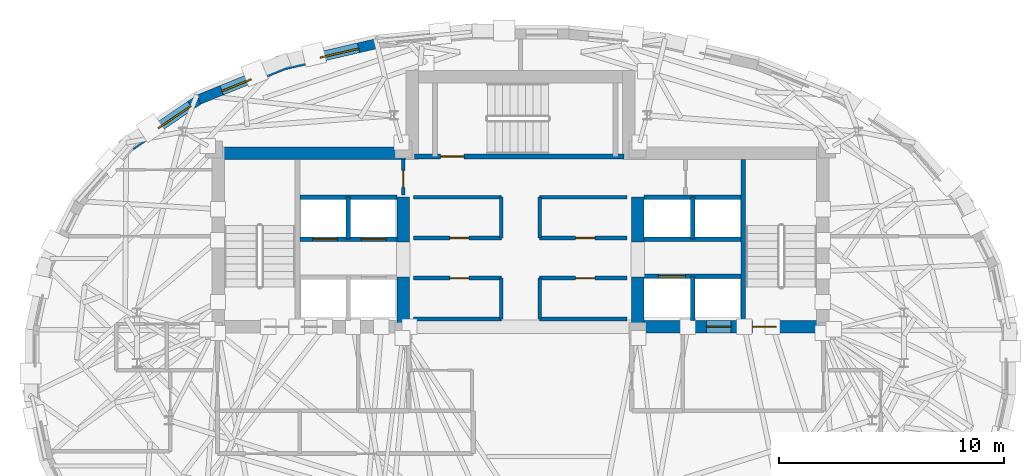
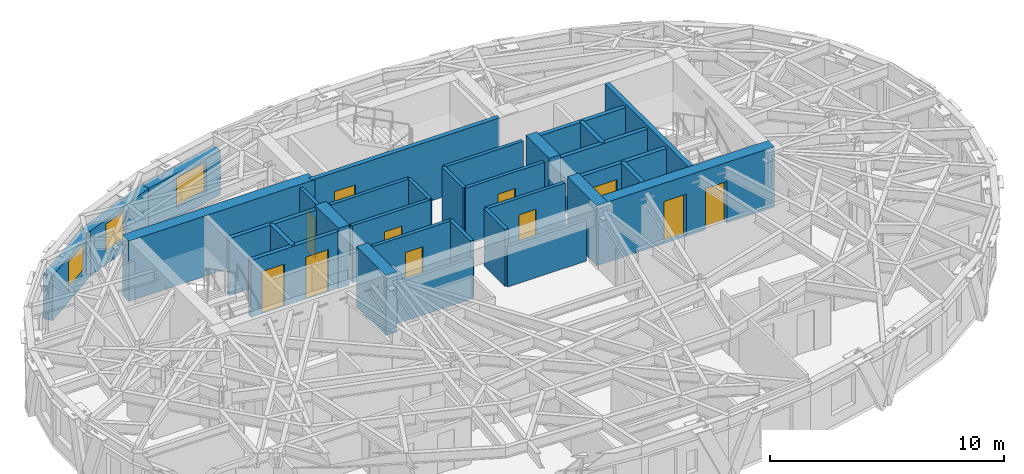
# One storey, part 8 of 13: 32 walls, 11 doors, 3 windows, 14 openings.
"""IFC4 building model written with IfcOpenShell, lengths in metres."""

from ifc_helpers import new_model, si_unit, direction, frame, frame_2d, origin, place, context, subcontext, project, spatial, rectangle, extrude, material, layer, layer_set, type_object, element, fill, save


model = new_model("IFC4")

# Units and contexts
model_context = context("Model", 3, precision=1e-05, world=origin(), true_north=direction((0.0, 1.0)))
body_context = subcontext(model_context, "Body", "Model", "MODEL_VIEW")
ifc_project = project(units=[si_unit("LENGTHUNIT", "METRE"), si_unit("AREAUNIT", "SQUARE_METRE"), si_unit("VOLUMEUNIT", "CUBIC_METRE"), si_unit("PLANEANGLEUNIT", "RADIAN"), si_unit("MASSUNIT", "GRAM", prefix="KILO")], contexts=[model_context])

# Site, building, storey
site_placement = place(None, origin())
site = spatial("IfcSite", under=ifc_project, at=site_placement, CompositionType="ELEMENT")
building_placement = place(site_placement, origin())
building = spatial("IfcBuilding", under=site, at=building_placement, Name="Keldmark Tower", CompositionType="ELEMENT")
storey_placement = place(building_placement, frame((0.0, 0.0, 235.199951171875)))
storey = spatial("IfcBuildingStorey", under=building, at=storey_placement, Name="L66", CompositionType="ELEMENT", Elevation=235.199951171875)

# Walls
ifc_material_1 = material(Name="Concrete C50/60", Category="concrete")
ifc_layer_1 = layer(ifc_material_1, 0.550048828125)
ifc_layer_set_1 = layer_set([ifc_layer_1], Name="Concrete C50/60")
wall_type_1 = type_object("IfcWallType", Name="High-Rise Core Shear Wall 550 mm", PredefinedType="SHEAR", material=ifc_layer_set_1)
wall_1_placement = place(storey_placement, frame((-13.699951171875, 9.27490234375, 0.0), z_axis=(0.0, 0.0, 1.0), x_axis=(1.0, 0.0, 0.0)))
element("IfcWall", 1, at=wall_1_placement, inside=storey, type_object=wall_type_1, Name="L66 West Core North Shear Wall", PredefinedType="SHEAR", context=body_context, shape_type="SweptSolid", body=[
    extrude(rectangle(XDim=9.175048828125, YDim=0.550048828125, at=frame_2d((4.58740234375, 0.0))), origin(), (0.0, 0.0, 1.0), 3.150146484375),
])
wall_2_placement = place(storey_placement, frame((-5.199951171875, 1.300048828125, 0.0), z_axis=(0.0, 0.0, 1.0), x_axis=(0.0, 1.0, 0.0)))
element("IfcWall", 2, at=wall_2_placement, inside=storey, type_object=wall_type_1, Name="L66 West Core Inner Shear Pier South", PredefinedType="SHEAR", context=body_context, shape_type="SweptSolid", body=[
    extrude(rectangle(XDim=2.5, YDim=0.550048828125, at=frame_2d((1.25, 0.0))), origin(), (0.0, 0.0, 1.0), 3.150146484375),
])
wall_3_placement = place(storey_placement, frame((-5.199951171875, 5.35009765625, 0.0), z_axis=(0.0, 0.0, 1.0), x_axis=(0.0, 1.0, 0.0)))
element("IfcWall", 3, at=wall_3_placement, inside=storey, type_object=wall_type_1, Name="L66 West Core Inner Shear Pier North", PredefinedType="SHEAR", context=body_context, shape_type="SweptSolid", body=[
    extrude(rectangle(XDim=2.0, YDim=0.550048828125, at=frame_2d((1.0, 0.0))), origin(), (0.0, 0.0, 1.0), 3.150146484375),
])

# Wall, openings, doors
wall_4_placement = place(storey_placement, frame((13.699951171875, 1.574951171875, 0.0), z_axis=(0.0, 0.0, 1.0), x_axis=(-1.0, 0.0, 0.0)))
wall_4 = element("IfcWall", 4, at=wall_4_placement, inside=storey, type_object=wall_type_1, Name="L66 East Core South Shear Wall", PredefinedType="SHEAR", context=body_context, shape_type="SweptSolid", body=[
    extrude(rectangle(XDim=8.77490234375, YDim=0.550048828125, at=frame_2d((4.387451171875, 0.0))), origin(), (0.0, 0.0, 1.0), 3.150146484375),
])
opening_1_placement = place(wall_4_placement, frame((2.35009765625, 0.0, 0.0)))
opening_1 = element("IfcOpeningElement", 5, at=opening_1_placement, cuts=wall_4, Name="Opening D-ST105", PredefinedType="OPENING", context=body_context, shape_type="SweptSolid", body=[
    extrude(rectangle(XDim=1.050048828125, YDim=2.14990234375, at=frame_2d((0.52490234375, 1.074951171875))), frame((0.0, 0.284912109375, 0.0), z_axis=(0.0, -1.0, 0.0), x_axis=(1.0, 0.0, 0.0)), (0.0, 0.0, 1.0), 0.570068359375),
])
opening_2_placement = place(wall_4_placement, frame((4.35009765625, 0.0, 0.0)))
opening_2 = element("IfcOpeningElement", 6, at=opening_2_placement, cuts=wall_4, Name="Opening LD-110", PredefinedType="OPENING", context=body_context, shape_type="SweptSolid", body=[
    extrude(rectangle(XDim=1.10009765625, YDim=2.199951171875, at=frame_2d((0.550048828125, 1.10009765625))), frame((0.0, 0.284912109375, 0.0), z_axis=(0.0, -1.0, 0.0), x_axis=(1.0, 0.0, 0.0)), (0.0, 0.0, 1.0), 0.570068359375),
])
ifc_material_2 = material(Name="Brushed Bronze Hoistway Sliding Leaf", Category="metal")
door_type_1 = type_object("IfcDoorType", Name="Lift Landing Sliding Door 1100x2200", OperationType="SLIDING_TO_LEFT", PredefinedType="DOOR", material=ifc_material_2)
door_1_placement = place(opening_2_placement, origin())
door_1 = element("IfcDoor", 7, at=door_1_placement, inside=storey, type_object=door_type_1, Name="L66 Lift Landing Sliding Door 1100x2200 LD-EL-FS2-L66", OperationType="SLIDING_TO_LEFT", OverallHeight=2.199951171875, OverallWidth=1.10009765625, PredefinedType="DOOR", context=body_context, shape_type="SweptSolid", body=[
    extrude(rectangle(XDim=1.10009765625, YDim=2.199951171875, at=frame_2d((0.550048828125, 1.10009765625))), frame((0.0, 0.02490234375, 0.0), z_axis=(0.0, -1.0, 0.0), x_axis=(1.0, 0.0, 0.0)), (0.0, 0.0, 1.0), 0.050048828125),
])
fill(opening_2, door_1)
ifc_material_3 = material(Name="Hollow Metal Fire-Rated Door Assembly", Category="metal")
door_type_2 = type_object("IfcDoorType", Name="Stair Fire Door 1050x2150", OperationType="NOTDEFINED", PredefinedType="DOOR", material=ifc_material_3)
door_2_placement = place(opening_1_placement, origin())
door_2 = element("IfcDoor", 8, at=door_2_placement, inside=storey, type_object=door_type_2, Name="L66 Stair Fire Door 1050x2150 D-ST2-L66", OperationType="SINGLE_SWING_LEFT", OverallHeight=2.14990234375, OverallWidth=1.050048828125, PredefinedType="DOOR", context=body_context, shape_type="SweptSolid", body=[
    extrude(rectangle(XDim=1.050048828125, YDim=2.14990234375, at=frame_2d((0.52490234375, 1.074951171875))), frame((0.0, 0.02490234375, 0.0), z_axis=(0.0, -1.0, 0.0), x_axis=(1.0, 0.0, 0.0)), (0.0, 0.0, 1.0), 0.050048828125),
])
fill(opening_1, door_2)

# Walls
wall_5_placement = place(storey_placement, frame((5.199951171875, 1.300048828125, 0.0), z_axis=(0.0, 0.0, 1.0), x_axis=(0.0, 1.0, 0.0)))
element("IfcWall", 9, at=wall_5_placement, inside=storey, type_object=wall_type_1, Name="L66 East Core Inner Shear Pier South", PredefinedType="SHEAR", context=body_context, shape_type="SweptSolid", body=[
    extrude(rectangle(XDim=2.5, YDim=0.550048828125, at=frame_2d((1.25, 0.0))), origin(), (0.0, 0.0, 1.0), 3.150146484375),
])
wall_6_placement = place(storey_placement, frame((5.199951171875, 5.35009765625, 0.0), z_axis=(0.0, 0.0, 1.0), x_axis=(0.0, 1.0, 0.0)))
element("IfcWall", 10, at=wall_6_placement, inside=storey, type_object=wall_type_1, Name="L66 East Core Inner Shear Pier North", PredefinedType="SHEAR", context=body_context, shape_type="SweptSolid", body=[
    extrude(rectangle(XDim=2.0, YDim=0.550048828125, at=frame_2d((1.0, 0.0))), origin(), (0.0, 0.0, 1.0), 3.150146484375),
])
ifc_material_4 = material(Name="Type X Fire-Rated Gypsum Partition Assembly", Category="gypsum")
ifc_layer_2 = layer(ifc_material_4, 0.1650390625)
ifc_layer_set_2 = layer_set([ifc_layer_2], Name="Type X Fire-Rated Gypsum Partition Assembly")
wall_type_2 = type_object("IfcWallType", Name="Rated Partition 165 mm", PredefinedType="PARTITIONING", material=ifc_layer_set_2)
wall_7_placement = place(storey_placement, frame((-4.739990234375, 1.919921875, 0.0), z_axis=(0.0, 0.0, 1.0), x_axis=(1.0, 0.0, 0.0)))
element("IfcWall", 11, at=wall_7_placement, inside=storey, type_object=wall_type_2, Name="L66 Rated Partition 165 mm REC-LW-S", PredefinedType="PARTITIONING", context=body_context, shape_type="SweptSolid", body=[
    extrude(rectangle(XDim=3.889892578125, YDim=0.1650390625, at=frame_2d((1.94482421875, 0.0))), origin(), (0.0, 0.0, 1.0), 2.110107421875),
])

# Wall, opening, door
wall_8_placement = place(storey_placement, frame((-4.739990234375, 3.739990234375, 0.0), z_axis=(0.0, 0.0, 1.0), x_axis=(1.0, 0.0, 0.0)))
wall_8 = element("IfcWall", 12, at=wall_8_placement, inside=storey, type_object=wall_type_2, Name="L66 Rated Partition 165 mm REC-LW-N", PredefinedType="PARTITIONING", context=body_context, shape_type="SweptSolid", body=[
    extrude(rectangle(XDim=3.889892578125, YDim=0.1650390625, at=frame_2d((1.94482421875, 0.0))), origin(), (0.0, 0.0, 1.0), 2.969970703125),
])
opening_3_placement = place(wall_8_placement, frame((1.60009765625, 0.0, 0.0)))
opening_3 = element("IfcOpeningElement", 13, at=opening_3_placement, cuts=wall_8, Name="Opening D-SV085", PredefinedType="OPENING", context=body_context, shape_type="SweptSolid", body=[
    extrude(rectangle(XDim=0.85009765625, YDim=2.10009765625, at=frame_2d((0.425048828125, 1.050048828125))), frame((0.0, 0.092529296875, 0.0), z_axis=(0.0, -1.0, 0.0), x_axis=(1.0, 0.0, 0.0)), (0.0, 0.0, 1.0), 0.18505859375),
])
ifc_material_5 = material(Name="Painted Hollow Metal Door Assembly", Category="metal")
door_type_3 = type_object("IfcDoorType", Name="Service Door 850x2100", OperationType="NOTDEFINED", PredefinedType="DOOR", material=ifc_material_5)
door_3_placement = place(opening_3_placement, origin())
door_3 = element("IfcDoor", 14, at=door_3_placement, inside=storey, type_object=door_type_3, Name="L66 Service Door 850x2100 D-RECLW1-L66", OperationType="SINGLE_SWING_LEFT", OverallHeight=2.10009765625, OverallWidth=0.85009765625, PredefinedType="DOOR", context=body_context, shape_type="SweptSolid", body=[
    extrude(rectangle(XDim=0.85009765625, YDim=2.10009765625, at=frame_2d((0.425048828125, 1.050048828125))), frame((0.0, 0.02490234375, 0.0), z_axis=(0.0, -1.0, 0.0), x_axis=(1.0, 0.0, 0.0)), (0.0, 0.0, 1.0), 0.050048828125),
])
fill(opening_3, door_3)

# Walls
wall_9_placement = place(storey_placement, frame((-0.85009765625, 1.919921875, 0.0), z_axis=(0.0, 0.0, 1.0), x_axis=(0.0, 1.0, 0.0)))
element("IfcWall", 15, at=wall_9_placement, inside=storey, type_object=wall_type_2, Name="L66 Rated Partition 165 mm REC-LW-E", PredefinedType="PARTITIONING", context=body_context, shape_type="SweptSolid", body=[
    extrude(rectangle(XDim=1.820068359375, YDim=0.1650390625, at=frame_2d((0.91015625, 0.0))), origin(), (0.0, 0.0, 1.0), 2.969970703125),
])
wall_10_placement = place(storey_placement, frame((0.85009765625, 1.919921875, 0.0), z_axis=(0.0, 0.0, 1.0), x_axis=(1.0, 0.0, 0.0)))
element("IfcWall", 16, at=wall_10_placement, inside=storey, type_object=wall_type_2, Name="L66 Rated Partition 165 mm REC-LE-S", PredefinedType="PARTITIONING", context=body_context, shape_type="SweptSolid", body=[
    extrude(rectangle(XDim=3.889892578125, YDim=0.1650390625, at=frame_2d((1.94482421875, 0.0))), origin(), (0.0, 0.0, 1.0), 2.110107421875),
])

# Wall, opening, door
wall_11_placement = place(storey_placement, frame((0.85009765625, 3.739990234375, 0.0), z_axis=(0.0, 0.0, 1.0), x_axis=(1.0, 0.0, 0.0)))
wall_11 = element("IfcWall", 17, at=wall_11_placement, inside=storey, type_object=wall_type_2, Name="L66 Rated Partition 165 mm REC-LE-N", PredefinedType="PARTITIONING", context=body_context, shape_type="SweptSolid", body=[
    extrude(rectangle(XDim=3.889892578125, YDim=0.1650390625, at=frame_2d((1.94482421875, 0.0))), origin(), (0.0, 0.0, 1.0), 2.969970703125),
])
opening_4_placement = place(wall_11_placement, frame((1.60009765625, 0.0, 0.0)))
opening_4 = element("IfcOpeningElement", 18, at=opening_4_placement, cuts=wall_11, Name="Opening D-SV085", PredefinedType="OPENING", context=body_context, shape_type="SweptSolid", body=[
    extrude(rectangle(XDim=0.85009765625, YDim=2.10009765625, at=frame_2d((0.425048828125, 1.050048828125))), frame((0.0, 0.092529296875, 0.0), z_axis=(0.0, -1.0, 0.0), x_axis=(1.0, 0.0, 0.0)), (0.0, 0.0, 1.0), 0.18505859375),
])
door_4_placement = place(opening_4_placement, origin())
door_4 = element("IfcDoor", 19, at=door_4_placement, inside=storey, type_object=door_type_3, Name="L66 Service Door 850x2100 D-RECLE1-L66", OperationType="SINGLE_SWING_RIGHT", OverallHeight=2.10009765625, OverallWidth=0.85009765625, PredefinedType="DOOR", context=body_context, shape_type="SweptSolid", body=[
    extrude(rectangle(XDim=0.85009765625, YDim=2.10009765625, at=frame_2d((0.425048828125, 1.050048828125))), frame((0.0, 0.02490234375, 0.0), z_axis=(0.0, -1.0, 0.0), x_axis=(1.0, 0.0, 0.0)), (0.0, 0.0, 1.0), 0.050048828125),
])
fill(opening_4, door_4)

# Wall
wall_12_placement = place(storey_placement, frame((0.85009765625, 1.919921875, 0.0), z_axis=(0.0, 0.0, 1.0), x_axis=(0.0, 1.0, 0.0)))
element("IfcWall", 20, at=wall_12_placement, inside=storey, type_object=wall_type_2, Name="L66 Rated Partition 165 mm REC-LE-W", PredefinedType="PARTITIONING", context=body_context, shape_type="SweptSolid", body=[
    extrude(rectangle(XDim=1.820068359375, YDim=0.1650390625, at=frame_2d((0.91015625, 0.0))), origin(), (0.0, 0.0, 1.0), 2.969970703125),
])

# Wall, opening, door
wall_13_placement = place(storey_placement, frame((-4.739990234375, 5.52001953125, 0.0), z_axis=(0.0, 0.0, 1.0), x_axis=(1.0, 0.0, 0.0)))
wall_13 = element("IfcWall", 21, at=wall_13_placement, inside=storey, type_object=wall_type_2, Name="L66 Rated Partition 165 mm REC-MW-S", PredefinedType="PARTITIONING", context=body_context, shape_type="SweptSolid", body=[
    extrude(rectangle(XDim=3.889892578125, YDim=0.1650390625, at=frame_2d((1.94482421875, 0.0))), origin(), (0.0, 0.0, 1.0), 2.969970703125),
])
opening_5_placement = place(wall_13_placement, frame((1.60009765625, 0.0, 0.0)))
opening_5 = element("IfcOpeningElement", 22, at=opening_5_placement, cuts=wall_13, Name="Opening D-SV085", PredefinedType="OPENING", context=body_context, shape_type="SweptSolid", body=[
    extrude(rectangle(XDim=0.85009765625, YDim=2.10009765625, at=frame_2d((0.425048828125, 1.050048828125))), frame((0.0, 0.092529296875, 0.0), z_axis=(0.0, -1.0, 0.0), x_axis=(1.0, 0.0, 0.0)), (0.0, 0.0, 1.0), 0.18505859375),
])
door_5_placement = place(opening_5_placement, origin())
door_5 = element("IfcDoor", 23, at=door_5_placement, inside=storey, type_object=door_type_3, Name="L66 Service Door 850x2100 D-RECMW1-L66", OperationType="SINGLE_SWING_LEFT", OverallHeight=2.10009765625, OverallWidth=0.85009765625, PredefinedType="DOOR", context=body_context, shape_type="SweptSolid", body=[
    extrude(rectangle(XDim=0.85009765625, YDim=2.10009765625, at=frame_2d((0.425048828125, 1.050048828125))), frame((0.0, 0.02490234375, 0.0), z_axis=(0.0, -1.0, 0.0), x_axis=(1.0, 0.0, 0.0)), (0.0, 0.0, 1.0), 0.050048828125),
])
fill(opening_5, door_5)

# Walls
wall_14_placement = place(storey_placement, frame((-4.739990234375, 7.330078125, 0.0), z_axis=(0.0, 0.0, 1.0), x_axis=(1.0, 0.0, 0.0)))
element("IfcWall", 24, at=wall_14_placement, inside=storey, type_object=wall_type_2, Name="L66 Rated Partition 165 mm REC-MW-N", PredefinedType="PARTITIONING", context=body_context, shape_type="SweptSolid", body=[
    extrude(rectangle(XDim=3.889892578125, YDim=0.1650390625, at=frame_2d((1.94482421875, 0.0))), origin(), (0.0, 0.0, 1.0), 2.969970703125),
])
wall_15_placement = place(storey_placement, frame((-0.85009765625, 5.52001953125, 0.0), z_axis=(0.0, 0.0, 1.0), x_axis=(0.0, 1.0, 0.0)))
element("IfcWall", 25, at=wall_15_placement, inside=storey, type_object=wall_type_2, Name="L66 Rated Partition 165 mm REC-MW-E", PredefinedType="PARTITIONING", context=body_context, shape_type="SweptSolid", body=[
    extrude(rectangle(XDim=1.81005859375, YDim=0.1650390625, at=frame_2d((0.905029296875, 0.0))), origin(), (0.0, 0.0, 1.0), 2.969970703125),
])

# Wall, opening, door
wall_16_placement = place(storey_placement, frame((0.85009765625, 5.52001953125, 0.0), z_axis=(0.0, 0.0, 1.0), x_axis=(1.0, 0.0, 0.0)))
wall_16 = element("IfcWall", 26, at=wall_16_placement, inside=storey, type_object=wall_type_2, Name="L66 Rated Partition 165 mm REC-ME-S", PredefinedType="PARTITIONING", context=body_context, shape_type="SweptSolid", body=[
    extrude(rectangle(XDim=3.889892578125, YDim=0.1650390625, at=frame_2d((1.94482421875, 0.0))), origin(), (0.0, 0.0, 1.0), 2.969970703125),
])
opening_6_placement = place(wall_16_placement, frame((1.60009765625, 0.0, 0.0)))
opening_6 = element("IfcOpeningElement", 27, at=opening_6_placement, cuts=wall_16, Name="Opening D-SV085", PredefinedType="OPENING", context=body_context, shape_type="SweptSolid", body=[
    extrude(rectangle(XDim=0.85009765625, YDim=2.10009765625, at=frame_2d((0.425048828125, 1.050048828125))), frame((0.0, 0.092529296875, 0.0), z_axis=(0.0, -1.0, 0.0), x_axis=(1.0, 0.0, 0.0)), (0.0, 0.0, 1.0), 0.18505859375),
])
door_6_placement = place(opening_6_placement, origin())
door_6 = element("IfcDoor", 28, at=door_6_placement, inside=storey, type_object=door_type_3, Name="L66 Service Door 850x2100 D-RECME1-L66", OperationType="SINGLE_SWING_RIGHT", OverallHeight=2.10009765625, OverallWidth=0.85009765625, PredefinedType="DOOR", context=body_context, shape_type="SweptSolid", body=[
    extrude(rectangle(XDim=0.85009765625, YDim=2.10009765625, at=frame_2d((0.425048828125, 1.050048828125))), frame((0.0, 0.02490234375, 0.0), z_axis=(0.0, -1.0, 0.0), x_axis=(1.0, 0.0, 0.0)), (0.0, 0.0, 1.0), 0.050048828125),
])
fill(opening_6, door_6)

# Walls
wall_17_placement = place(storey_placement, frame((0.85009765625, 7.330078125, 0.0), z_axis=(0.0, 0.0, 1.0), x_axis=(1.0, 0.0, 0.0)))
element("IfcWall", 29, at=wall_17_placement, inside=storey, type_object=wall_type_2, Name="L66 Rated Partition 165 mm REC-ME-N", PredefinedType="PARTITIONING", context=body_context, shape_type="SweptSolid", body=[
    extrude(rectangle(XDim=3.889892578125, YDim=0.1650390625, at=frame_2d((1.94482421875, 0.0))), origin(), (0.0, 0.0, 1.0), 2.969970703125),
])
wall_18_placement = place(storey_placement, frame((0.85009765625, 5.52001953125, 0.0), z_axis=(0.0, 0.0, 1.0), x_axis=(0.0, 1.0, 0.0)))
element("IfcWall", 30, at=wall_18_placement, inside=storey, type_object=wall_type_2, Name="L66 Rated Partition 165 mm REC-ME-W", PredefinedType="PARTITIONING", context=body_context, shape_type="SweptSolid", body=[
    extrude(rectangle(XDim=1.81005859375, YDim=0.1650390625, at=frame_2d((0.905029296875, 0.0))), origin(), (0.0, 0.0, 1.0), 2.969970703125),
])

# Wall, opening, door
wall_19_placement = place(storey_placement, frame((-5.199951171875, 7.419921875, 0.0), z_axis=(0.0, 0.0, 1.0), x_axis=(0.0, 1.0, 0.0)))
wall_19 = element("IfcWall", 31, at=wall_19_placement, inside=storey, type_object=wall_type_2, Name="L66 Rated Partition 165 mm CS-NW-E", PredefinedType="PARTITIONING", context=body_context, shape_type="SweptSolid", body=[
    extrude(rectangle(XDim=1.580078125, YDim=0.1650390625, at=frame_2d((0.7900390625, 0.0))), origin(), (0.0, 0.0, 1.0), 2.969970703125),
])
opening_7_placement = place(wall_19_placement, frame((0.35009765625, 0.0, 0.0)))
opening_7 = element("IfcOpeningElement", 32, at=opening_7_placement, cuts=wall_19, Name="Opening D-RS075", PredefinedType="OPENING", context=body_context, shape_type="SweptSolid", body=[
    extrude(rectangle(XDim=0.75, YDim=2.10009765625, at=frame_2d((0.375, 1.050048828125))), frame((0.0, 0.092529296875, 0.0), z_axis=(0.0, -1.0, 0.0), x_axis=(1.0, 0.0, 0.0)), (0.0, 0.0, 1.0), 0.18505859375),
])
ifc_material_6 = material(Name="Galvanized Fire-Rated Access Leaf", Category="metal")
door_type_4 = type_object("IfcDoorType", Name="Riser Access Door 750x2100", OperationType="NOTDEFINED", PredefinedType="DOOR", material=ifc_material_6)
door_7_placement = place(opening_7_placement, origin())
door_7 = element("IfcDoor", 33, at=door_7_placement, inside=storey, type_object=door_type_4, Name="L66 Riser Access Door 750x2100 D-CSNW1-L66", OperationType="SINGLE_SWING_LEFT", OverallHeight=2.10009765625, OverallWidth=0.75, PredefinedType="DOOR", context=body_context, shape_type="SweptSolid", body=[
    extrude(rectangle(XDim=0.75, YDim=2.10009765625, at=frame_2d((0.375, 1.050048828125))), frame((0.0, 0.02490234375, 0.0), z_axis=(0.0, -1.0, 0.0), x_axis=(1.0, 0.0, 0.0)), (0.0, 0.0, 1.0), 0.050048828125),
])
fill(opening_7, door_7)

# Wall, openings, doors
ifc_material_7 = material(Name="Fire-Resistant Type X Gypsum Shaftliner Coreboard", Category="gypsum")
ifc_layer_3 = layer(ifc_material_7, 0.199951171875)
ifc_layer_set_3 = layer_set([ifc_layer_3], Name="Fire-Resistant Type X Gypsum Shaftliner Coreboard")
wall_type_3 = type_object("IfcWallType", Name="Shaft Wall 200 mm", PredefinedType="SOLIDWALL", material=ifc_layer_set_3)
wall_20_placement = place(storey_placement, frame((-9.780029296875, 5.469970703125, 0.0), z_axis=(0.0, 0.0, 1.0), x_axis=(1.0, 0.0, 0.0)))
wall_20 = element("IfcWall", 34, at=wall_20_placement, inside=storey, type_object=wall_type_3, Name="L66 Shaft Wall 200 mm HW-W-N", PredefinedType="SOLIDWALL", context=body_context, shape_type="SweptSolid", body=[
    extrude(rectangle(XDim=4.304931640625, YDim=0.199951171875, at=frame_2d((2.15234375, 0.0))), origin(), (0.0, 0.0, 1.0), 2.969970703125),
])
opening_8_placement = place(wall_20_placement, frame((0.550048828125, 0.0, 0.0)))
opening_8 = element("IfcOpeningElement", 35, at=opening_8_placement, cuts=wall_20, Name="Opening LD-110", PredefinedType="OPENING", context=body_context, shape_type="SweptSolid", body=[
    extrude(rectangle(XDim=1.10009765625, YDim=2.199951171875, at=frame_2d((0.550048828125, 1.10009765625))), frame((0.0, 0.10986328125, 0.0), z_axis=(0.0, -1.0, 0.0), x_axis=(1.0, 0.0, 0.0)), (0.0, 0.0, 1.0), 0.219970703125),
])
opening_9_placement = place(wall_20_placement, frame((2.719970703125, 0.0, 0.0)))
opening_9 = element("IfcOpeningElement", 36, at=opening_9_placement, cuts=wall_20, Name="Opening LD-110", PredefinedType="OPENING", context=body_context, shape_type="SweptSolid", body=[
    extrude(rectangle(XDim=1.10009765625, YDim=2.199951171875, at=frame_2d((0.550048828125, 1.10009765625))), frame((0.0, 0.10986328125, 0.0), z_axis=(0.0, -1.0, 0.0), x_axis=(1.0, 0.0, 0.0)), (0.0, 0.0, 1.0), 0.219970703125),
])
door_8_placement = place(opening_8_placement, origin())
door_8 = element("IfcDoor", 37, at=door_8_placement, inside=storey, type_object=door_type_1, Name="L66 Lift Landing Sliding Door 1100x2200 LD-EL-H1-L66", OperationType="SLIDING_TO_LEFT", OverallHeight=2.199951171875, OverallWidth=1.10009765625, PredefinedType="DOOR", context=body_context, shape_type="SweptSolid", body=[
    extrude(rectangle(XDim=1.10009765625, YDim=2.199951171875, at=frame_2d((0.550048828125, 1.10009765625))), frame((0.0, 0.02490234375, 0.0), z_axis=(0.0, -1.0, 0.0), x_axis=(1.0, 0.0, 0.0)), (0.0, 0.0, 1.0), 0.050048828125),
])
fill(opening_8, door_8)
door_9_placement = place(opening_9_placement, origin())
door_9 = element("IfcDoor", 38, at=door_9_placement, inside=storey, type_object=door_type_1, Name="L66 Lift Landing Sliding Door 1100x2200 LD-EL-H2-L66", OperationType="SLIDING_TO_LEFT", OverallHeight=2.199951171875, OverallWidth=1.10009765625, PredefinedType="DOOR", context=body_context, shape_type="SweptSolid", body=[
    extrude(rectangle(XDim=1.10009765625, YDim=2.199951171875, at=frame_2d((0.550048828125, 1.10009765625))), frame((0.0, 0.02490234375, 0.0), z_axis=(0.0, -1.0, 0.0), x_axis=(1.0, 0.0, 0.0)), (0.0, 0.0, 1.0), 0.050048828125),
])
fill(opening_9, door_9)

# Walls
wall_21_placement = place(storey_placement, frame((-9.780029296875, 7.330078125, 0.0), z_axis=(0.0, 0.0, 1.0), x_axis=(1.0, 0.0, 0.0)))
element("IfcWall", 39, at=wall_21_placement, inside=storey, type_object=wall_type_3, Name="L66 Shaft Wall 200 mm HW-W-TOP", PredefinedType="SOLIDWALL", context=body_context, shape_type="SweptSolid", body=[
    extrude(rectangle(XDim=4.304931640625, YDim=0.199951171875, at=frame_2d((2.15234375, 0.0))), origin(), (0.0, 0.0, 1.0), 2.969970703125),
])
wall_22_placement = place(storey_placement, frame((-7.64990234375, 5.469970703125, 0.0), z_axis=(0.0, 0.0, 1.0), x_axis=(0.0, 1.0, 0.0)))
element("IfcWall", 40, at=wall_22_placement, inside=storey, type_object=wall_type_3, Name="L66 Shaft Wall 200 mm HW-W-NM", PredefinedType="SOLIDWALL", context=body_context, shape_type="SweptSolid", body=[
    extrude(rectangle(XDim=1.860107421875, YDim=0.199951171875, at=frame_2d((0.93017578125, 0.0))), origin(), (0.0, 0.0, 1.0), 2.969970703125),
])

# Wall, opening, door
wall_23_placement = place(storey_placement, frame((5.47509765625, 3.820068359375, 0.0), z_axis=(0.0, 0.0, 1.0), x_axis=(1.0, 0.0, 0.0)))
wall_23 = element("IfcWall", 41, at=wall_23_placement, inside=storey, type_object=wall_type_3, Name="L66 Shaft Wall 200 mm HW-E-S", PredefinedType="SOLIDWALL", context=body_context, shape_type="SweptSolid", body=[
    extrude(rectangle(XDim=4.304931640625, YDim=0.199951171875, at=frame_2d((2.15234375, 0.0))), origin(), (0.0, 0.0, 1.0), 2.969970703125),
])
opening_10_placement = place(wall_23_placement, frame((0.64990234375, 0.0, 0.0)))
opening_10 = element("IfcOpeningElement", 42, at=opening_10_placement, cuts=wall_23, Name="Opening LD-120", PredefinedType="OPENING", context=body_context, shape_type="SweptSolid", body=[
    extrude(rectangle(XDim=1.199951171875, YDim=2.199951171875, at=frame_2d((0.60009765625, 1.10009765625))), frame((0.0, 0.10986328125, 0.0), z_axis=(0.0, -1.0, 0.0), x_axis=(1.0, 0.0, 0.0)), (0.0, 0.0, 1.0), 0.219970703125),
])
ifc_material_8 = material(Name="Heavy-Duty Brushed Metal Hoistway Sliding Leaf", Category="metal")
door_type_5 = type_object("IfcDoorType", Name="Service Lift Sliding Door 1200x2200", OperationType="SLIDING_TO_RIGHT", PredefinedType="DOOR", material=ifc_material_8)
door_10_placement = place(opening_10_placement, origin())
door_10 = element("IfcDoor", 43, at=door_10_placement, inside=storey, type_object=door_type_5, Name="L66 Service Lift Sliding Door 1200x2200 LD-EL-SV1-L66", OperationType="SLIDING_TO_RIGHT", OverallHeight=2.199951171875, OverallWidth=1.199951171875, PredefinedType="DOOR", context=body_context, shape_type="SweptSolid", body=[
    extrude(rectangle(XDim=1.199951171875, YDim=2.199951171875, at=frame_2d((0.60009765625, 1.10009765625))), frame((0.0, 0.02490234375, 0.0), z_axis=(0.0, -1.0, 0.0), x_axis=(1.0, 0.0, 0.0)), (0.0, 0.0, 1.0), 0.050048828125),
])
fill(opening_10, door_10)

# Walls
wall_24_placement = place(storey_placement, frame((7.64990234375, 1.85009765625, 0.0), z_axis=(0.0, 0.0, 1.0), x_axis=(0.0, 1.0, 0.0)))
element("IfcWall", 44, at=wall_24_placement, inside=storey, type_object=wall_type_3, Name="L66 Shaft Wall 200 mm HW-E-M", PredefinedType="SOLIDWALL", context=body_context, shape_type="SweptSolid", body=[
    extrude(rectangle(XDim=1.969970703125, YDim=0.199951171875, at=frame_2d((0.98486328125, 0.0))), origin(), (0.0, 0.0, 1.0), 2.969970703125),
])
for number, where, z_axis, x_axis, name in (
    (45, (5.47509765625, 5.469970703125, 0.0), (0.0, 0.0, 1.0), (1.0, 0.0, 0.0), "L66 Shaft Wall 200 mm HW-E-N"),
    (46, (5.47509765625, 7.330078125, 0.0), (0.0, 0.0, 1.0), (1.0, 0.0, 0.0), "L66 Shaft Wall 200 mm HW-E-TOP"),
):
    element("IfcWall", number, at=place(storey_placement, frame(where, z_axis=z_axis, x_axis=x_axis)), inside=storey, type_object=wall_type_3, Name=name, PredefinedType="SOLIDWALL", context=body_context, shape_type="SweptSolid", body=[
        extrude(rectangle(XDim=4.304931640625, YDim=0.199951171875, at=frame_2d((2.15234375, 0.0))), origin(), (0.0, 0.0, 1.0), 2.969970703125),
    ])
wall_25_placement = place(storey_placement, frame((7.64990234375, 5.469970703125, 0.0), z_axis=(0.0, 0.0, 1.0), x_axis=(0.0, 1.0, 0.0)))
element("IfcWall", 47, at=wall_25_placement, inside=storey, type_object=wall_type_3, Name="L66 Shaft Wall 200 mm HW-E-NM", PredefinedType="SOLIDWALL", context=body_context, shape_type="SweptSolid", body=[
    extrude(rectangle(XDim=1.860107421875, YDim=0.199951171875, at=frame_2d((0.93017578125, 0.0))), origin(), (0.0, 0.0, 1.0), 2.969970703125),
])
ifc_material_9 = material(Name="Concrete C50/60", Category="concrete")
ifc_layer_4 = layer(ifc_material_9, 0.219970703125)
ifc_layer_set_4 = layer_set([ifc_layer_4], Name="Concrete C50/60")
wall_type_4 = type_object("IfcWallType", Name="Stair Core Shear Wall 220 mm", PredefinedType="SHEAR", material=ifc_layer_set_4)
wall_26_placement = place(storey_placement, frame((9.889892578125, 1.85009765625, 0.0), z_axis=(0.0, 0.0, 1.0), x_axis=(0.0, 1.0, 0.0)))
element("IfcWall", 48, at=wall_26_placement, inside=storey, type_object=wall_type_4, Name="L66 East Stair Core Shear Wall", PredefinedType="SHEAR", context=body_context, shape_type="SweptSolid", body=[
    extrude(rectangle(XDim=7.14990234375, YDim=0.219970703125, at=frame_2d((3.574951171875, 0.0))), origin(), (0.0, 0.0, 1.0), 3.150146484375),
])

# Wall, opening, door
wall_27_placement = place(storey_placement, frame((-4.699951171875, 9.139892578125, 0.0), z_axis=(0.0, 0.0, 1.0), x_axis=(1.0, 0.0, 0.0)))
wall_27 = element("IfcWall", 49, at=wall_27_placement, inside=storey, type_object=wall_type_4, Name="L66 Central Stair Core South Shear Wall", PredefinedType="SHEAR", context=body_context, shape_type="SweptSolid", body=[
    extrude(rectangle(XDim=9.300048828125, YDim=0.219970703125, at=frame_2d((4.64990234375, 0.0))), origin(), (0.0, 0.0, 1.0), 3.150146484375),
])
opening_11_placement = place(wall_27_placement, frame((1.14990234375, 0.0, 0.0)))
opening_11 = element("IfcOpeningElement", 50, at=opening_11_placement, cuts=wall_27, Name="Opening D-ST105", PredefinedType="OPENING", context=body_context, shape_type="SweptSolid", body=[
    extrude(rectangle(XDim=1.050048828125, YDim=2.14990234375, at=frame_2d((0.52490234375, 1.074951171875))), frame((0.0, 0.119873046875, 0.0), z_axis=(0.0, -1.0, 0.0), x_axis=(1.0, 0.0, 0.0)), (0.0, 0.0, 1.0), 0.239990234375),
])
door_11_placement = place(opening_11_placement, origin())
door_11 = element("IfcDoor", 51, at=door_11_placement, inside=storey, type_object=door_type_2, Name="L66 Stair Fire Door 1050x2150 D-ST3-L66", OperationType="SINGLE_SWING_LEFT", OverallHeight=2.14990234375, OverallWidth=1.050048828125, PredefinedType="DOOR", context=body_context, shape_type="SweptSolid", body=[
    extrude(rectangle(XDim=1.050048828125, YDim=2.14990234375, at=frame_2d((0.52490234375, 1.074951171875))), frame((0.0, 0.02490234375, 0.0), z_axis=(0.0, -1.0, 0.0), x_axis=(1.0, 0.0, 0.0)), (0.0, 0.0, 1.0), 0.050048828125),
])
fill(opening_11, door_11)

# Wall, opening, window
ifc_material_10 = material(Name="Ironspot Manganese Brick and Kasota Buff Limestone Spandrel Assembly", Category="masonry")
ifc_layer_5 = layer(ifc_material_10, 0.43994140625)
ifc_layer_set_5 = layer_set([ifc_layer_5], Name="Ironspot Manganese Brick and Kasota Buff Limestone Spandrel Assembly")
wall_type_5 = type_object("IfcWallType", Name="Tower Brick Pier and Spandrel Wall 440 mm", PredefinedType="STANDARD", material=ifc_layer_set_5)
wall_28_placement = place(storey_placement, frame((-10.520263671875, 13.194580078125, 0.0), z_axis=(0.0, 0.0, 1.0), x_axis=(0.974398936081, 0.224825962391, 0.0)))
wall_28 = element("IfcWall", 52, at=wall_28_placement, inside=storey, type_object=wall_type_5, Name="L66 Exterior Brick and Spandrel Wall 10", PredefinedType="STANDARD", context=body_context, shape_type="SweptSolid", body=[
    extrude(rectangle(XDim=4.25244140625, YDim=0.43994140625, at=frame_2d((2.126220703125, 0.0))), origin(), (0.0, 0.0, 1.0), 2.3359375),
])
opening_12_placement = place(wall_28_placement, frame((1.666748046875, 0.0, 0.550048828125)))
opening_12 = element("IfcOpeningElement", 53, at=opening_12_placement, cuts=wall_28, Name="Opening W-05", PredefinedType="OPENING", context=body_context, shape_type="SweptSolid", body=[
    extrude(rectangle(XDim=1.75, YDim=1.550048828125, at=frame_2d((0.875, 0.77490234375))), frame((0.0, 0.22998046875, 0.0), z_axis=(0.0, -1.0, 0.0), x_axis=(1.0, 0.0, 0.0)), (0.0, 0.0, 1.0), 0.4599609375),
])
ifc_material_11 = material(Name="Thermally Broken Anodized Aluminum and Triple Low-E Argon Glazing", Category="aluminium")
window_type_1 = type_object("IfcWindowType", Name="Residential Deep-Set Window 1750x1550", PartitioningType="DOUBLE_PANEL_VERTICAL", PredefinedType="WINDOW", material=ifc_material_11)
window_1_placement = place(opening_12_placement, origin())
window_1 = element("IfcWindow", 54, at=window_1_placement, inside=storey, type_object=window_type_1, Name="L66 Deep-Set Window 10", OverallHeight=1.550048828125, OverallWidth=1.75, PartitioningType="SINGLE_PANEL", PredefinedType="WINDOW", context=body_context, shape_type="SweptSolid", body=[
    extrude(rectangle(XDim=1.75, YDim=1.550048828125, at=frame_2d((0.875, 0.77490234375))), frame((0.0, -0.010009765625, 0.0), z_axis=(0.0, -1.0, 0.0), x_axis=(1.0, 0.0, 0.0)), (0.0, 0.0, 1.0), 0.06005859375),
])
fill(opening_12, window_1)

wall_29_placement = place(storey_placement, frame((-14.283203125, 11.666015625, 0.0), z_axis=(0.0, 0.0, 1.0), x_axis=(0.926731976866, 0.375723093586, 0.0)))
wall_29 = element("IfcWall", 55, at=wall_29_placement, inside=storey, type_object=wall_type_5, Name="L66 Exterior Brick and Spandrel Wall 11", PredefinedType="STANDARD", context=body_context, shape_type="SweptSolid", body=[
    extrude(rectangle(XDim=4.09619140625, YDim=0.43994140625, at=frame_2d((2.048095703125, 0.0))), origin(), (0.0, 0.0, 1.0), 2.3359375),
])
opening_13_placement = place(wall_29_placement, frame((1.098388671875, 0.0, 0.550048828125)))
opening_13 = element("IfcOpeningElement", 56, at=opening_13_placement, cuts=wall_29, Name="Opening W-08", PredefinedType="OPENING", context=body_context, shape_type="SweptSolid", body=[
    extrude(rectangle(XDim=1.39990234375, YDim=1.550048828125, at=frame_2d((0.699951171875, 0.77490234375))), frame((0.0, 0.22998046875, 0.0), z_axis=(0.0, -1.0, 0.0), x_axis=(1.0, 0.0, 0.0)), (0.0, 0.0, 1.0), 0.4599609375),
])
ifc_material_12 = material(Name="Thermally Broken Anodized Aluminum and Triple Low-E Argon Glazing", Category="aluminium")
window_type_2 = type_object("IfcWindowType", Name="Residential Corner Punched Window 1400x1550", PartitioningType="SINGLE_PANEL", PredefinedType="WINDOW", material=ifc_material_12)
window_2_placement = place(opening_13_placement, origin())
window_2 = element("IfcWindow", 57, at=window_2_placement, inside=storey, type_object=window_type_2, Name="L66 Deep-Set Window 11", OverallHeight=1.550048828125, OverallWidth=1.39990234375, PartitioningType="SINGLE_PANEL", PredefinedType="WINDOW", context=body_context, shape_type="SweptSolid", body=[
    extrude(rectangle(XDim=1.39990234375, YDim=1.550048828125, at=frame_2d((0.699951171875, 0.77490234375))), frame((0.0, -0.010009765625, 0.0), z_axis=(0.0, -1.0, 0.0), x_axis=(1.0, 0.0, 0.0)), (0.0, 0.0, 1.0), 0.06005859375),
])
fill(opening_13, window_2)

wall_30_placement = place(storey_placement, frame((-17.38134765625, 9.559326171875, 0.0), z_axis=(0.0, 0.0, 1.0), x_axis=(0.827637036896, 0.561263694851, 0.0)))
wall_30 = element("IfcWall", 58, at=wall_30_placement, inside=storey, type_object=wall_type_5, Name="L66 Exterior Brick and Spandrel Wall 12", PredefinedType="STANDARD", context=body_context, shape_type="SweptSolid", body=[
    extrude(rectangle(XDim=3.792724609375, YDim=0.43994140625, at=frame_2d((1.896484375, 0.0))), origin(), (0.0, 0.0, 1.0), 2.3359375),
])
opening_14_placement = place(wall_30_placement, frame((1.5439453125, 0.0, 0.550048828125)))
opening_14 = element("IfcOpeningElement", 59, at=opening_14_placement, cuts=wall_30, Name="Opening W-05", PredefinedType="OPENING", context=body_context, shape_type="SweptSolid", body=[
    extrude(rectangle(XDim=1.75, YDim=1.550048828125, at=frame_2d((0.875, 0.77490234375))), frame((0.0, 0.22998046875, 0.0), z_axis=(0.0, -1.0, 0.0), x_axis=(1.0, 0.0, 0.0)), (0.0, 0.0, 1.0), 0.4599609375),
])
window_3_placement = place(opening_14_placement, origin())
window_3 = element("IfcWindow", 60, at=window_3_placement, inside=storey, type_object=window_type_1, Name="L66 Deep-Set Window 12", OverallHeight=1.550048828125, OverallWidth=1.75, PartitioningType="SINGLE_PANEL", PredefinedType="WINDOW", context=body_context, shape_type="SweptSolid", body=[
    extrude(rectangle(XDim=1.75, YDim=1.550048828125, at=frame_2d((0.875, 0.77490234375))), frame((0.0, -0.010009765625, 0.0), z_axis=(0.0, -1.0, 0.0), x_axis=(1.0, 0.0, 0.0)), (0.0, 0.0, 1.0), 0.06005859375),
])
fill(opening_14, window_3)

save(model, "model.ifc")
